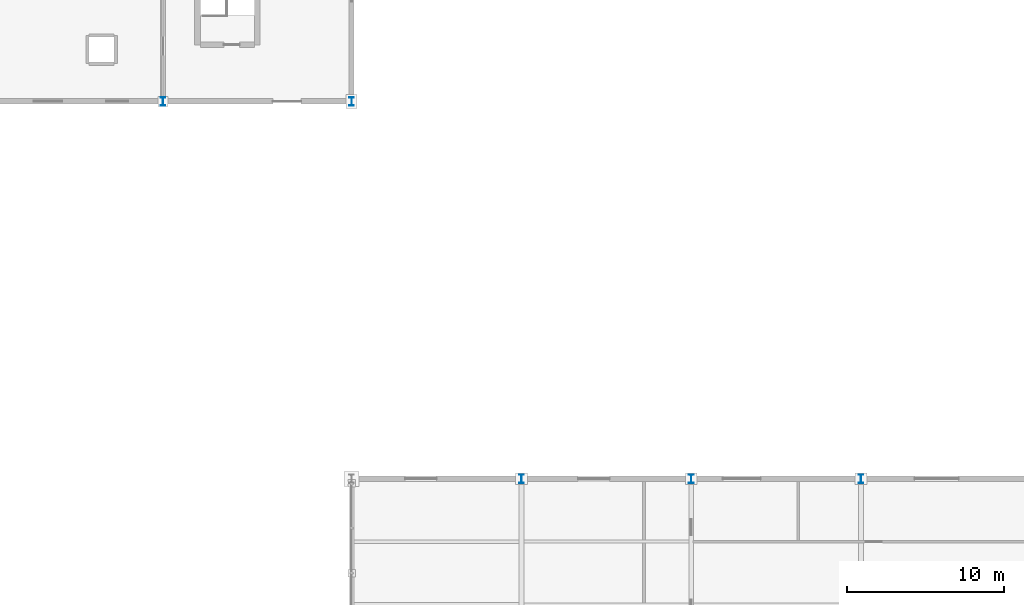
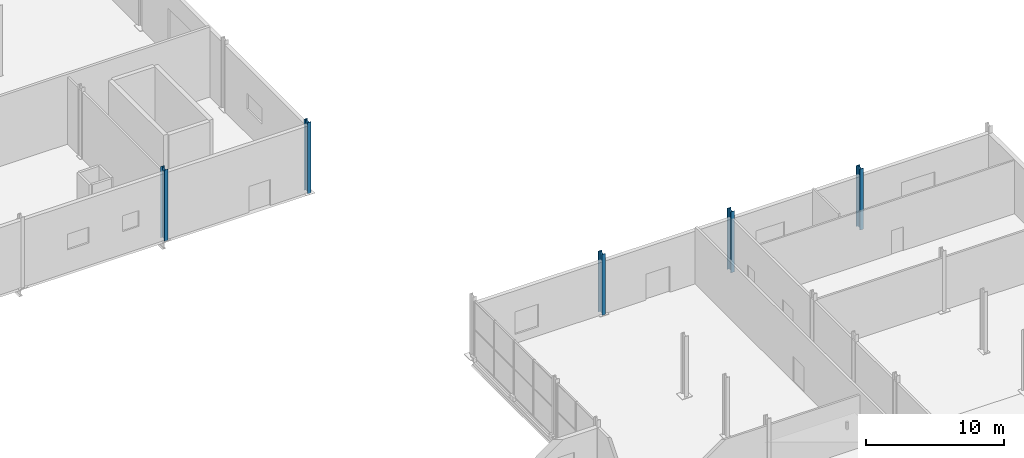
# One storey, part 22 of 196: 5 columns.
"""IFC4 building model written with IfcOpenShell, lengths in metres."""

from ifc_helpers import new_model, si_unit, direction, frame, origin, origin_2d, place, context, subcontext, project, spatial, i_section, extrude, material, material_profile, profile_set, type_object, element, save


model = new_model("IFC4")

# Units and contexts
model_context = context("Model", 3, precision=1e-05, world=origin(), true_north=direction((0.0, 1.0)))
body_context = subcontext(model_context, "Body", "Model", "MODEL_VIEW")
ifc_project = project(units=[si_unit("LENGTHUNIT", "METRE"), si_unit("AREAUNIT", "SQUARE_METRE"), si_unit("VOLUMEUNIT", "CUBIC_METRE"), si_unit("PLANEANGLEUNIT", "RADIAN"), si_unit("MASSUNIT", "GRAM", prefix="KILO")], contexts=[model_context])

# Site, building, storey
site_placement = place(None, origin())
site = spatial("IfcSite", under=ifc_project, at=site_placement, CompositionType="ELEMENT")
building_placement = place(site_placement, origin())
building = spatial("IfcBuilding", under=site, at=building_placement, Name="Merenkruunu Market Hall", CompositionType="ELEMENT")
storey_placement = place(building_placement, origin())
storey = spatial("IfcBuildingStorey", under=building, at=storey_placement, Name="L00", CompositionType="ELEMENT", Elevation=0.0)

# Columns
ifc_material = material(Name="Steel S355J2", Category="steel")
ifc_material_profile = material_profile(ifc_material, i_section(OverallWidth=0.300048828125, OverallDepth=0.5400390625, WebThickness=0.012451171875, FlangeThickness=0.02392578125, FilletRadius=0.027099609375, at=origin_2d()), Name="HEA 550")
ifc_profile_set = profile_set([ifc_material_profile], Name="Steel S355J2")
column_type = type_object("IfcColumnType", Name="Structural Column C06", PredefinedType="COLUMN", material=ifc_profile_set)
for number, where, z_axis, x_axis, name in (
    (1, (136.800048828125, 87.60009765625, 0.0), (0.0, 0.0, 1.0), (1.0, 0.0, 0.0), "COL-L00-P-10"),
    (2, (148.800048828125, 87.60009765625, 0.0), (0.0, 0.0, 1.0), (1.0, 0.0, 0.0), "COL-L00-Q-10"),
):
    element("IfcColumn", number, at=place(storey_placement, frame(where, z_axis=z_axis, x_axis=x_axis)), inside=storey, type_object=column_type, Name=name, PredefinedType="COLUMN", context=body_context, shape_type="SweptSolid", body=[
        extrude(i_section(OverallWidth=0.300048828125, OverallDepth=0.5400390625, WebThickness=0.012451171875, FlangeThickness=0.02392578125, FilletRadius=0.027099609375, at=origin_2d()), origin(), (0.0, 0.0, 1.0), 6.300048828125),
    ])
for number, where, z_axis, x_axis, name in (
    (3, (159.60009765625, 63.60009765625, 0.0), (0.0, 0.0, 1.0), (1.0, 0.0, 0.0), "COL-L00-R-08"),
    (4, (170.39990234375, 63.60009765625, 0.0), (0.0, 0.0, 1.0), (1.0, 0.0, 0.0), "COL-L00-S-08"),
    (5, (181.199951171875, 63.60009765625, 0.0), (0.0, 0.0, 1.0), (1.0, 0.0, 0.0), "COL-L00-T-08"),
):
    element("IfcColumn", number, at=place(storey_placement, frame(where, z_axis=z_axis, x_axis=x_axis)), inside=storey, type_object=column_type, Name=name, PredefinedType="COLUMN", context=body_context, shape_type="SweptSolid", body=[
        extrude(i_section(OverallWidth=0.300048828125, OverallDepth=0.5400390625, WebThickness=0.012451171875, FlangeThickness=0.02392578125, FilletRadius=0.027099609375, at=origin_2d()), origin(), (0.0, 0.0, 1.0), 5.39990234375),
    ])

save(model, "model.ifc")
